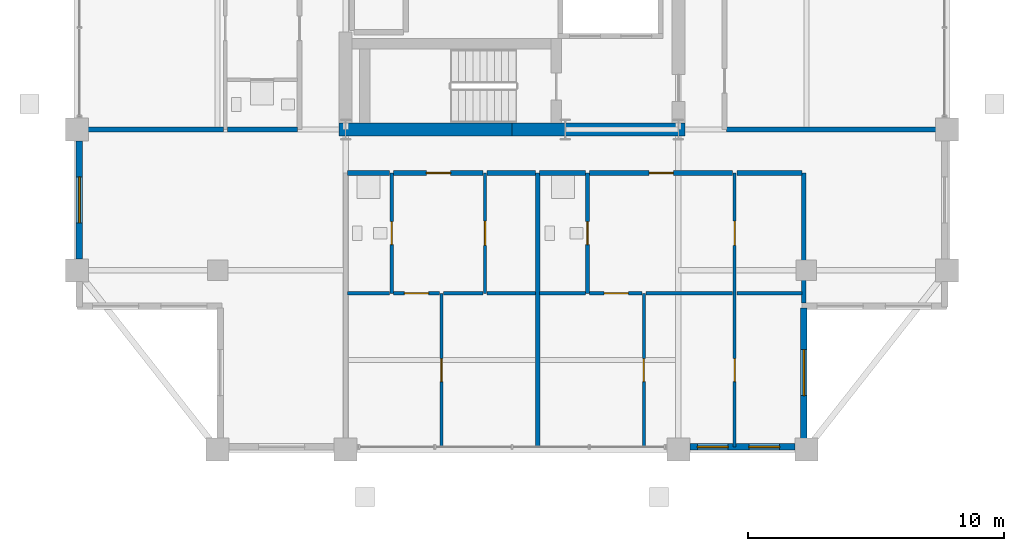
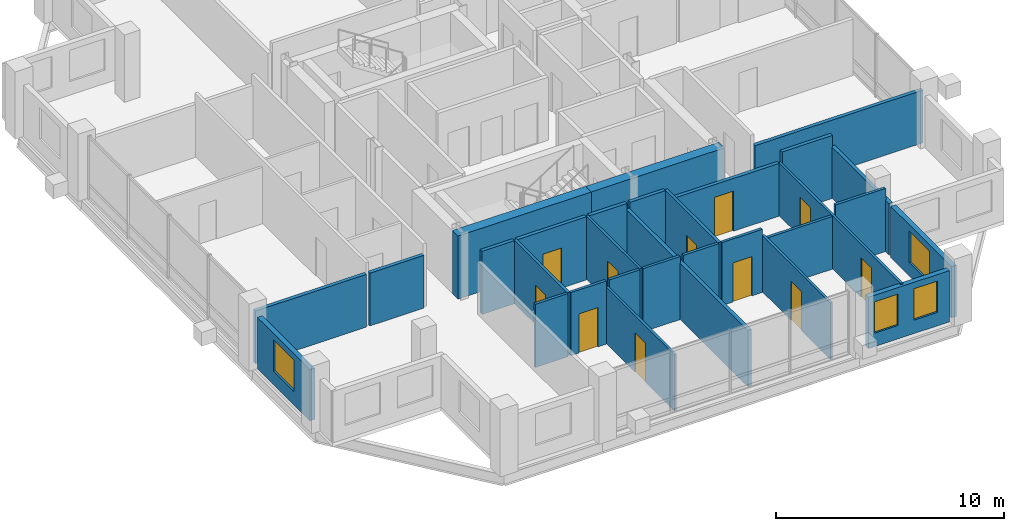
# One storey, part 16 of 21: 30 walls, 11 doors, 4 windows, 15 openings.
"""IFC4 building model written with IfcOpenShell, lengths in metres."""

from ifc_helpers import new_model, si_unit, direction, frame, frame_2d, origin, place, context, subcontext, project, spatial, rectangle, extrude, material, layer, layer_set, type_object, element, fill, save


model = new_model("IFC4")

# Units and contexts
model_context = context("Model", 3, precision=1e-05, world=origin(), true_north=direction((0.0, 1.0)))
body_context = subcontext(model_context, "Body", "Model", "MODEL_VIEW")
ifc_project = project(units=[si_unit("LENGTHUNIT", "METRE"), si_unit("AREAUNIT", "SQUARE_METRE"), si_unit("VOLUMEUNIT", "CUBIC_METRE"), si_unit("PLANEANGLEUNIT", "RADIAN"), si_unit("MASSUNIT", "GRAM", prefix="KILO")], contexts=[model_context])

# Site, building, storey
site_placement = place(None, origin())
site = spatial("IfcSite", under=ifc_project, at=site_placement, CompositionType="ELEMENT")
building_placement = place(site_placement, origin())
building = spatial("IfcBuilding", under=site, at=building_placement, Name="Barlavira Tower and Art Museum", CompositionType="ELEMENT")
storey_placement = place(building_placement, frame((0.0, 0.0, 297.89990234375)))
storey = spatial("IfcBuildingStorey", under=building, at=storey_placement, Name="L78", CompositionType="ELEMENT", Elevation=297.89990234375)

# Wall, opening, door
ifc_material_1 = material(Name="Gypsum acoustic stud partition", Category="gypsum")
ifc_layer_1 = layer(ifc_material_1, 0.1201171875, Name="Gypsum acoustic stud partition")
ifc_layer_set_1 = layer_set([ifc_layer_1], Name="Gypsum acoustic stud partition")
wall_type_1 = type_object("IfcWallType", Name="Apartment Internal Acoustic Partition 120", PredefinedType="PARTITIONING", material=ifc_layer_set_1)
wall_1_placement = place(storey_placement, frame((-2.75, -19.89990234375, 0.0), z_axis=(0.0, 0.0, 1.0), x_axis=(0.0, 1.0, 0.0)))
wall_1 = element("IfcWall", 1, at=wall_1_placement, inside=storey, type_object=wall_type_1, Name="L78 Partition Wall 8", PredefinedType="PARTITIONING", context=body_context, shape_type="SweptSolid", body=[
    extrude(rectangle(XDim=6.0, YDim=0.1201171875, at=frame_2d((3.0, 0.0))), origin(), (0.0, 0.0, 1.0), 3.01806640625),
])
opening_1_placement = place(wall_1_placement, frame((2.550048828125, 0.0, 0.0)))
opening_1 = element("IfcOpeningElement", 2, at=opening_1_placement, cuts=wall_1, Name="Opening D-01", PredefinedType="OPENING", context=body_context, shape_type="SweptSolid", body=[
    extrude(rectangle(XDim=0.89990234375, YDim=2.10009765625, at=frame_2d((0.449951171875, 1.050048828125))), frame((0.0, 0.070068359375, 0.0), z_axis=(0.0, -1.0, 0.0), x_axis=(1.0, 0.0, 0.0)), (0.0, 0.0, 1.0), 0.14013671875),
])
ifc_material_2 = material(Name="Engineered coastal hardwood", Category="wood")
door_type_1 = type_object("IfcDoorType", Name="Internal Bedroom Timber Flush Door 900x2100", OperationType="NOTDEFINED", PredefinedType="DOOR", material=ifc_material_2)
door_1_placement = place(opening_1_placement, origin())
door_1 = element("IfcDoor", 3, at=door_1_placement, inside=storey, type_object=door_type_1, Name="Apartment S1 Bedroom 1 Door", OperationType="SINGLE_SWING_LEFT", OverallHeight=2.10009765625, OverallWidth=0.89990234375, PredefinedType="DOOR", context=body_context, shape_type="SweptSolid", body=[
    extrude(rectangle(XDim=0.89990234375, YDim=2.10009765625, at=frame_2d((0.449951171875, 1.050048828125))), frame((0.0, 0.02490234375, 0.0), z_axis=(0.0, -1.0, 0.0), x_axis=(1.0, 0.0, 0.0)), (0.0, 0.0, 1.0), 0.050048828125),
])
fill(opening_1, door_1)

wall_2_placement = place(storey_placement, frame((-1.050048828125, -13.89990234375, 0.0), z_axis=(0.0, 0.0, 1.0), x_axis=(0.0, 1.0, 0.0)))
wall_2 = element("IfcWall", 4, at=wall_2_placement, inside=storey, type_object=wall_type_1, Name="L78 Partition Wall 9", PredefinedType="PARTITIONING", context=body_context, shape_type="SweptSolid", body=[
    extrude(rectangle(XDim=4.699951171875, YDim=0.1201171875, at=frame_2d((2.35009765625, 0.0))), origin(), (0.0, 0.0, 1.0), 3.380126953125),
])
opening_2_placement = place(wall_2_placement, frame((1.875, 0.0, 0.0)))
opening_2 = element("IfcOpeningElement", 5, at=opening_2_placement, cuts=wall_2, Name="Opening D-02", PredefinedType="OPENING", context=body_context, shape_type="SweptSolid", body=[
    extrude(rectangle(XDim=0.949951171875, YDim=2.10009765625, at=frame_2d((0.47509765625, 1.050048828125))), frame((0.0, 0.070068359375, 0.0), z_axis=(0.0, -1.0, 0.0), x_axis=(1.0, 0.0, 0.0)), (0.0, 0.0, 1.0), 0.14013671875),
])
door_type_2 = type_object("IfcDoorType", Name="Living and Salon Glazed-Leaf Door 950x2100", OperationType="NOTDEFINED", PredefinedType="DOOR", material=ifc_material_2)
door_2_placement = place(opening_2_placement, origin())
door_2 = element("IfcDoor", 6, at=door_2_placement, inside=storey, type_object=door_type_2, Name="Apartment S1 Kitchen Door", OperationType="SINGLE_SWING_LEFT", OverallHeight=2.10009765625, OverallWidth=0.949951171875, PredefinedType="DOOR", context=body_context, shape_type="SweptSolid", body=[
    extrude(rectangle(XDim=0.949951171875, YDim=2.10009765625, at=frame_2d((0.47509765625, 1.050048828125))), frame((0.0, 0.02490234375, 0.0), z_axis=(0.0, -1.0, 0.0), x_axis=(1.0, 0.0, 0.0)), (0.0, 0.0, 1.0), 0.050048828125),
])
fill(opening_2, door_2)

wall_3_placement = place(storey_placement, frame((5.14990234375, -19.89990234375, 0.0), z_axis=(0.0, 0.0, 1.0), x_axis=(0.0, 1.0, 0.0)))
wall_3 = element("IfcWall", 7, at=wall_3_placement, inside=storey, type_object=wall_type_1, Name="L78 Partition Wall 15", PredefinedType="PARTITIONING", context=body_context, shape_type="SweptSolid", body=[
    extrude(rectangle(XDim=6.0, YDim=0.1201171875, at=frame_2d((3.0, 0.0))), origin(), (0.0, 0.0, 1.0), 3.01806640625),
])
opening_3_placement = place(wall_3_placement, frame((2.550048828125, 0.0, 0.0)))
opening_3 = element("IfcOpeningElement", 8, at=opening_3_placement, cuts=wall_3, Name="Opening D-01", PredefinedType="OPENING", context=body_context, shape_type="SweptSolid", body=[
    extrude(rectangle(XDim=0.89990234375, YDim=2.10009765625, at=frame_2d((0.449951171875, 1.050048828125))), frame((0.0, 0.070068359375, 0.0), z_axis=(0.0, -1.0, 0.0), x_axis=(1.0, 0.0, 0.0)), (0.0, 0.0, 1.0), 0.14013671875),
])
door_3_placement = place(opening_3_placement, origin())
door_3 = element("IfcDoor", 9, at=door_3_placement, inside=storey, type_object=door_type_1, Name="Apartment S2 Bedroom 1 Door", OperationType="SINGLE_SWING_RIGHT", OverallHeight=2.10009765625, OverallWidth=0.89990234375, PredefinedType="DOOR", context=body_context, shape_type="SweptSolid", body=[
    extrude(rectangle(XDim=0.89990234375, YDim=2.10009765625, at=frame_2d((0.449951171875, 1.050048828125))), frame((0.0, 0.02490234375, 0.0), z_axis=(0.0, -1.0, 0.0), x_axis=(1.0, 0.0, 0.0)), (0.0, 0.0, 1.0), 0.050048828125),
])
fill(opening_3, door_3)

# Wall, openings, doors
wall_4_placement = place(storey_placement, frame((8.699951171875, -19.89990234375, 0.0), z_axis=(0.0, 0.0, 1.0), x_axis=(0.0, 1.0, 0.0)))
wall_4 = element("IfcWall", 10, at=wall_4_placement, inside=storey, type_object=wall_type_1, Name="L78 Partition Wall 19", PredefinedType="PARTITIONING", context=body_context, shape_type="SweptSolid", body=[
    extrude(rectangle(XDim=10.699951171875, YDim=0.1201171875, at=frame_2d((5.35009765625, 0.0))), origin(), (0.0, 0.0, 1.0), 2.826171875),
])
opening_4_placement = place(wall_4_placement, frame((7.875, 0.0, 0.0)))
opening_4 = element("IfcOpeningElement", 11, at=opening_4_placement, cuts=wall_4, Name="Opening D-02", PredefinedType="OPENING", context=body_context, shape_type="SweptSolid", body=[
    extrude(rectangle(XDim=0.949951171875, YDim=2.10009765625, at=frame_2d((0.47509765625, 1.050048828125))), frame((0.0, 0.070068359375, 0.0), z_axis=(0.0, -1.0, 0.0), x_axis=(1.0, 0.0, 0.0)), (0.0, 0.0, 1.0), 0.14013671875),
])
opening_5_placement = place(wall_4_placement, frame((2.550048828125, 0.0, 0.0)))
opening_5 = element("IfcOpeningElement", 12, at=opening_5_placement, cuts=wall_4, Name="Opening D-01", PredefinedType="OPENING", context=body_context, shape_type="SweptSolid", body=[
    extrude(rectangle(XDim=0.89990234375, YDim=2.10009765625, at=frame_2d((0.449951171875, 1.050048828125))), frame((0.0, 0.070068359375, 0.0), z_axis=(0.0, -1.0, 0.0), x_axis=(1.0, 0.0, 0.0)), (0.0, 0.0, 1.0), 0.14013671875),
])
door_4_placement = place(opening_5_placement, origin())
door_4 = element("IfcDoor", 13, at=door_4_placement, inside=storey, type_object=door_type_1, Name="Apartment S2 Bedroom 2 Door", OperationType="SINGLE_SWING_LEFT", OverallHeight=2.10009765625, OverallWidth=0.89990234375, PredefinedType="DOOR", context=body_context, shape_type="SweptSolid", body=[
    extrude(rectangle(XDim=0.89990234375, YDim=2.10009765625, at=frame_2d((0.449951171875, 1.050048828125))), frame((0.0, 0.02490234375, 0.0), z_axis=(0.0, -1.0, 0.0), x_axis=(1.0, 0.0, 0.0)), (0.0, 0.0, 1.0), 0.050048828125),
])
fill(opening_5, door_4)
door_5_placement = place(opening_4_placement, origin())
door_5 = element("IfcDoor", 14, at=door_5_placement, inside=storey, type_object=door_type_2, Name="Apartment S2 Kitchen Door", OperationType="SINGLE_SWING_RIGHT", OverallHeight=2.10009765625, OverallWidth=0.949951171875, PredefinedType="DOOR", context=body_context, shape_type="SweptSolid", body=[
    extrude(rectangle(XDim=0.949951171875, YDim=2.10009765625, at=frame_2d((0.47509765625, 1.050048828125))), frame((0.0, 0.02490234375, 0.0), z_axis=(0.0, -1.0, 0.0), x_axis=(1.0, 0.0, 0.0)), (0.0, 0.0, 1.0), 0.050048828125),
])
fill(opening_4, door_5)

# Walls
ifc_material_3 = material(Name="Concrete C60", Category="concrete")
ifc_layer_2 = layer(ifc_material_3, 0.5, Name="Concrete C60")
ifc_layer_set_2 = layer_set([ifc_layer_2], Name="Concrete C60")
wall_type_2 = type_object("IfcWallType", Name="Core Structural Shear Wall 500 Concrete C60", PredefinedType="SHEAR", material=ifc_layer_set_2)
for number, where, z_axis, x_axis, name in (
    (15, (-6.75, -7.5, 0.0), (0.0, 0.0, 1.0), (1.0, 0.0, 0.0), "L78 Core Shear Wall CS-SW"),
    (16, (0.0, -7.5, 0.0), (0.0, 0.0, 1.0), (1.0, 0.0, 0.0), "L78 Core Shear Wall CS-SE"),
):
    element("IfcWall", number, at=place(storey_placement, frame(where, z_axis=z_axis, x_axis=x_axis)), inside=storey, type_object=wall_type_2, Name=name, PredefinedType="SHEAR", context=body_context, shape_type="SweptSolid", body=[
        extrude(rectangle(XDim=6.75, YDim=0.5, at=frame_2d((3.375, 0.0))), origin(), (0.0, 0.0, 1.0), 3.380126953125),
    ])
ifc_layer_3 = layer(ifc_material_1, 0.179931640625, Name="Gypsum acoustic stud partition")
ifc_layer_set_3 = layer_set([ifc_layer_3], Name="Gypsum acoustic stud partition")
wall_type_3 = type_object("IfcWallType", Name="Inter-Tenancy Party Partition Wall 180", PredefinedType="PARTITIONING", material=ifc_layer_set_3)
wall_5_placement = place(storey_placement, frame((1.0, -19.89990234375, 0.0), z_axis=(0.0, 0.0, 1.0), x_axis=(0.0, 1.0, 0.0)))
element("IfcWall", 17, at=wall_5_placement, inside=storey, type_object=wall_type_3, Name="L78 Partition Wall 10", PredefinedType="PARTITIONING", context=body_context, shape_type="SweptSolid", body=[
    extrude(rectangle(XDim=10.699951171875, YDim=0.179931640625, at=frame_2d((5.35009765625, 0.0))), origin(), (0.0, 0.0, 1.0), 3.01806640625),
])
wall_6_placement = place(storey_placement, frame((11.39990234375, -14.27001953125, 0.0), z_axis=(0.0, 0.0, 1.0), x_axis=(0.0, 1.0, 0.0)))
element("IfcWall", 18, at=wall_6_placement, inside=storey, type_object=wall_type_3, Name="L78 Partition Wall 21", PredefinedType="PARTITIONING", context=body_context, shape_type="SweptSolid", body=[
    extrude(rectangle(XDim=5.070068359375, YDim=0.179931640625, at=frame_2d((2.53515625, 0.0))), origin(), (0.0, 0.0, 1.0), 2.748046875),
])
wall_7_placement = place(storey_placement, frame((-6.419921875, -9.199951171875, 0.0), z_axis=(0.0, 0.0, 1.0), x_axis=(1.0, 0.0, 0.0)))
element("IfcWall", 19, at=wall_7_placement, inside=storey, type_object=wall_type_3, Name="L78 Partition Wall 32", PredefinedType="PARTITIONING", context=body_context, shape_type="SweptSolid", body=[
    extrude(rectangle(XDim=1.639892578125, YDim=0.179931640625, at=frame_2d((0.81982421875, 0.0))), origin(), (0.0, 0.0, 1.0), 3.380126953125),
])

# Wall, opening, door
wall_8_placement = place(storey_placement, frame((-4.6201171875, -9.199951171875, 0.0), z_axis=(0.0, 0.0, 1.0), x_axis=(1.0, 0.0, 0.0)))
wall_8 = element("IfcWall", 20, at=wall_8_placement, inside=storey, type_object=wall_type_3, Name="L78 Partition Wall 33", PredefinedType="PARTITIONING", context=body_context, shape_type="SweptSolid", body=[
    extrude(rectangle(XDim=3.490234375, YDim=0.179931640625, at=frame_2d((1.7451171875, 0.0))), origin(), (0.0, 0.0, 1.0), 3.380126953125),
])
opening_6_placement = place(wall_8_placement, frame((1.27490234375, 0.0, 0.0)))
opening_6 = element("IfcOpeningElement", 21, at=opening_6_placement, cuts=wall_8, Name="Opening FD-60", PredefinedType="OPENING", context=body_context, shape_type="SweptSolid", body=[
    extrude(rectangle(XDim=0.949951171875, YDim=2.14990234375, at=frame_2d((0.47509765625, 1.074951171875))), frame((0.0, 0.10009765625, 0.0), z_axis=(0.0, -1.0, 0.0), x_axis=(1.0, 0.0, 0.0)), (0.0, 0.0, 1.0), 0.199951171875),
])
ifc_material_4 = material(Name="Brushed stainless steel", Category="steel")
door_type_3 = type_object("IfcDoorType", Name="Apartment Entrance and Riser Fire Door 950x2150 FD60S", OperationType="NOTDEFINED", PredefinedType="DOOR", material=ifc_material_4)
door_6_placement = place(opening_6_placement, origin())
door_6 = element("IfcDoor", 22, at=door_6_placement, inside=storey, type_object=door_type_3, Name="Apartment Entrance Hall S1 Door", OperationType="SINGLE_SWING_RIGHT", OverallHeight=2.14990234375, OverallWidth=0.949951171875, PredefinedType="DOOR", context=body_context, shape_type="SweptSolid", body=[
    extrude(rectangle(XDim=0.949951171875, YDim=2.14990234375, at=frame_2d((0.47509765625, 1.074951171875))), frame((0.0, 0.02490234375, 0.0), z_axis=(0.0, -1.0, 0.0), x_axis=(1.0, 0.0, 0.0)), (0.0, 0.0, 1.0), 0.050048828125),
])
fill(opening_6, door_6)

# Walls
wall_9_placement = place(storey_placement, frame((-0.969970703125, -9.199951171875, 0.0), z_axis=(0.0, 0.0, 1.0), x_axis=(1.0, 0.0, 0.0)))
element("IfcWall", 23, at=wall_9_placement, inside=storey, type_object=wall_type_3, Name="L78 Partition Wall 34", PredefinedType="PARTITIONING", context=body_context, shape_type="SweptSolid", body=[
    extrude(rectangle(XDim=1.889892578125, YDim=0.179931640625, at=frame_2d((0.94482421875, 0.0))), origin(), (0.0, 0.0, 1.0), 3.380126953125),
])
wall_10_placement = place(storey_placement, frame((1.080078125, -9.199951171875, 0.0), z_axis=(0.0, 0.0, 1.0), x_axis=(1.0, 0.0, 0.0)))
element("IfcWall", 24, at=wall_10_placement, inside=storey, type_object=wall_type_3, Name="L78 Partition Wall 35", PredefinedType="PARTITIONING", context=body_context, shape_type="SweptSolid", body=[
    extrude(rectangle(XDim=1.7900390625, YDim=0.179931640625, at=frame_2d((0.89501953125, 0.0))), origin(), (0.0, 0.0, 1.0), 3.380126953125),
])

# Wall, opening, door
wall_11_placement = place(storey_placement, frame((3.030029296875, -9.199951171875, 0.0), z_axis=(0.0, 0.0, 1.0), x_axis=(1.0, 0.0, 0.0)))
wall_11 = element("IfcWall", 25, at=wall_11_placement, inside=storey, type_object=wall_type_3, Name="L78 Partition Wall 36", PredefinedType="PARTITIONING", context=body_context, shape_type="SweptSolid", body=[
    extrude(rectangle(XDim=5.590087890625, YDim=0.179931640625, at=frame_2d((2.794921875, 0.0))), origin(), (0.0, 0.0, 1.0), 2.826171875),
])
opening_7_placement = place(wall_11_placement, frame((2.324951171875, 0.0, 0.0)))
opening_7 = element("IfcOpeningElement", 26, at=opening_7_placement, cuts=wall_11, Name="Opening FD-60", PredefinedType="OPENING", context=body_context, shape_type="SweptSolid", body=[
    extrude(rectangle(XDim=0.949951171875, YDim=2.14990234375, at=frame_2d((0.47509765625, 1.074951171875))), frame((0.0, 0.10009765625, 0.0), z_axis=(0.0, -1.0, 0.0), x_axis=(1.0, 0.0, 0.0)), (0.0, 0.0, 1.0), 0.199951171875),
])
door_7_placement = place(opening_7_placement, origin())
door_7 = element("IfcDoor", 27, at=door_7_placement, inside=storey, type_object=door_type_3, Name="Apartment Entrance Hall S2 Door", OperationType="SINGLE_SWING_LEFT", OverallHeight=2.14990234375, OverallWidth=0.949951171875, PredefinedType="DOOR", context=body_context, shape_type="SweptSolid", body=[
    extrude(rectangle(XDim=0.949951171875, YDim=2.14990234375, at=frame_2d((0.47509765625, 1.074951171875))), frame((0.0, 0.02490234375, 0.0), z_axis=(0.0, -1.0, 0.0), x_axis=(1.0, 0.0, 0.0)), (0.0, 0.0, 1.0), 0.050048828125),
])
fill(opening_7, door_7)

# Walls
wall_12_placement = place(storey_placement, frame((8.780029296875, -9.199951171875, 0.0), z_axis=(0.0, 0.0, 1.0), x_axis=(1.0, 0.0, 0.0)))
element("IfcWall", 28, at=wall_12_placement, inside=storey, type_object=wall_type_3, Name="L78 Partition Wall 37", PredefinedType="PARTITIONING", context=body_context, shape_type="SweptSolid", body=[
    extrude(rectangle(XDim=2.5400390625, YDim=0.179931640625, at=frame_2d((1.27001953125, 0.0))), origin(), (0.0, 0.0, 1.0), 3.380126953125),
])
wall_13_placement = place(storey_placement, frame((-16.89990234375, -7.5, 0.0), z_axis=(0.0, 0.0, 1.0), x_axis=(1.0, 0.0, 0.0)))
element("IfcWall", 29, at=wall_13_placement, inside=storey, type_object=wall_type_3, Name="L78 Partition Wall 38", PredefinedType="PARTITIONING", context=body_context, shape_type="SweptSolid", body=[
    extrude(rectangle(XDim=5.619873046875, YDim=0.179931640625, at=frame_2d((2.81005859375, 0.0))), origin(), (0.0, 0.0, 1.0), 2.826171875),
])
wall_14_placement = place(storey_placement, frame((-11.1201171875, -7.5, 0.0), z_axis=(0.0, 0.0, 1.0), x_axis=(1.0, 0.0, 0.0)))
element("IfcWall", 30, at=wall_14_placement, inside=storey, type_object=wall_type_3, Name="L78 Partition Wall 39", PredefinedType="PARTITIONING", context=body_context, shape_type="SweptSolid", body=[
    extrude(rectangle(XDim=2.740234375, YDim=0.179931640625, at=frame_2d((1.3701171875, 0.0))), origin(), (0.0, 0.0, 1.0), 2.826171875),
])
wall_15_placement = place(storey_placement, frame((8.3798828125, -7.5, 0.0), z_axis=(0.0, 0.0, 1.0), x_axis=(1.0, 0.0, 0.0)))
element("IfcWall", 31, at=wall_15_placement, inside=storey, type_object=wall_type_3, Name="L78 Partition Wall 40", PredefinedType="PARTITIONING", context=body_context, shape_type="SweptSolid", body=[
    extrude(rectangle(XDim=8.52001953125, YDim=0.179931640625, at=frame_2d((4.260009765625, 0.0))), origin(), (0.0, 0.0, 1.0), 2.826171875),
])

# Wall, opening, door
ifc_layer_4 = layer(ifc_material_1, 0.139892578125, Name="Gypsum acoustic stud partition")
ifc_layer_set_4 = layer_set([ifc_layer_4], Name="Gypsum acoustic stud partition")
wall_type_4 = type_object("IfcWallType", Name="Moisture-Resistant Bathroom Partition 140", PredefinedType="PARTITIONING", material=ifc_layer_set_4)
wall_16_placement = place(storey_placement, frame((-4.699951171875, -13.89990234375, 0.0), z_axis=(0.0, 0.0, 1.0), x_axis=(0.0, 1.0, 0.0)))
wall_16 = element("IfcWall", 32, at=wall_16_placement, inside=storey, type_object=wall_type_4, Name="L78 Partition Wall 6", PredefinedType="PARTITIONING", context=body_context, shape_type="SweptSolid", body=[
    extrude(rectangle(XDim=4.699951171875, YDim=0.139892578125, at=frame_2d((2.35009765625, 0.0))), origin(), (0.0, 0.0, 1.0), 3.380126953125),
])
opening_8_placement = place(wall_16_placement, frame((1.89990234375, 0.0, 0.0)))
opening_8 = element("IfcOpeningElement", 33, at=opening_8_placement, cuts=wall_16, Name="Opening D-WC", PredefinedType="OPENING", context=body_context, shape_type="SweptSolid", body=[
    extrude(rectangle(XDim=0.89990234375, YDim=2.10009765625, at=frame_2d((0.449951171875, 1.050048828125))), frame((0.0, 0.080078125, 0.0), z_axis=(0.0, -1.0, 0.0), x_axis=(1.0, 0.0, 0.0)), (0.0, 0.0, 1.0), 0.159912109375),
])
door_type_4 = type_object("IfcDoorType", Name="Accessible Bathroom Flush Door 900x2100", OperationType="NOTDEFINED", PredefinedType="DOOR", material=ifc_material_2)
door_8_placement = place(opening_8_placement, origin())
door_8 = element("IfcDoor", 34, at=door_8_placement, inside=storey, type_object=door_type_4, Name="Apartment S1 Hall Bathroom Door", OperationType="SINGLE_SWING_LEFT", OverallHeight=2.10009765625, OverallWidth=0.89990234375, PredefinedType="DOOR", context=body_context, shape_type="SweptSolid", body=[
    extrude(rectangle(XDim=0.89990234375, YDim=2.10009765625, at=frame_2d((0.449951171875, 1.050048828125))), frame((0.0, 0.02490234375, 0.0), z_axis=(0.0, -1.0, 0.0), x_axis=(1.0, 0.0, 0.0)), (0.0, 0.0, 1.0), 0.050048828125),
])
fill(opening_8, door_8)

wall_17_placement = place(storey_placement, frame((2.949951171875, -13.89990234375, 0.0), z_axis=(0.0, 0.0, 1.0), x_axis=(0.0, 1.0, 0.0)))
wall_17 = element("IfcWall", 35, at=wall_17_placement, inside=storey, type_object=wall_type_4, Name="L78 Partition Wall 12", PredefinedType="PARTITIONING", context=body_context, shape_type="SweptSolid", body=[
    extrude(rectangle(XDim=4.699951171875, YDim=0.139892578125, at=frame_2d((2.35009765625, 0.0))), origin(), (0.0, 0.0, 1.0), 3.380126953125),
])
opening_9_placement = place(wall_17_placement, frame((1.89990234375, 0.0, 0.0)))
opening_9 = element("IfcOpeningElement", 36, at=opening_9_placement, cuts=wall_17, Name="Opening D-WC", PredefinedType="OPENING", context=body_context, shape_type="SweptSolid", body=[
    extrude(rectangle(XDim=0.89990234375, YDim=2.10009765625, at=frame_2d((0.449951171875, 1.050048828125))), frame((0.0, 0.080078125, 0.0), z_axis=(0.0, -1.0, 0.0), x_axis=(1.0, 0.0, 0.0)), (0.0, 0.0, 1.0), 0.159912109375),
])
door_9_placement = place(opening_9_placement, origin())
door_9 = element("IfcDoor", 37, at=door_9_placement, inside=storey, type_object=door_type_4, Name="Apartment S2 Hall Bathroom Door", OperationType="SINGLE_SWING_RIGHT", OverallHeight=2.10009765625, OverallWidth=0.89990234375, PredefinedType="DOOR", context=body_context, shape_type="SweptSolid", body=[
    extrude(rectangle(XDim=0.89990234375, YDim=2.10009765625, at=frame_2d((0.449951171875, 1.050048828125))), frame((0.0, 0.02490234375, 0.0), z_axis=(0.0, -1.0, 0.0), x_axis=(1.0, 0.0, 0.0)), (0.0, 0.0, 1.0), 0.050048828125),
])
fill(opening_9, door_9)

# Wall
wall_18_placement = place(storey_placement, frame((-6.419921875, -13.89990234375, 0.0), z_axis=(0.0, 0.0, 1.0), x_axis=(1.0, 0.0, 0.0)))
element("IfcWall", 38, at=wall_18_placement, inside=storey, type_object=wall_type_4, Name="L78 Partition Wall 24", PredefinedType="PARTITIONING", context=body_context, shape_type="SweptSolid", body=[
    extrude(rectangle(XDim=1.639892578125, YDim=0.139892578125, at=frame_2d((0.81982421875, 0.0))), origin(), (0.0, 0.0, 1.0), 3.380126953125),
])

# Wall, opening, door
wall_19_placement = place(storey_placement, frame((-4.6201171875, -13.89990234375, 0.0), z_axis=(0.0, 0.0, 1.0), x_axis=(1.0, 0.0, 0.0)))
wall_19 = element("IfcWall", 39, at=wall_19_placement, inside=storey, type_object=wall_type_4, Name="L78 Partition Wall 25", PredefinedType="PARTITIONING", context=body_context, shape_type="SweptSolid", body=[
    extrude(rectangle(XDim=1.7900390625, YDim=0.139892578125, at=frame_2d((0.89501953125, 0.0))), origin(), (0.0, 0.0, 1.0), 3.380126953125),
])
opening_10_placement = place(wall_19_placement, frame((0.4150390625, 0.0, 0.0)))
opening_10 = element("IfcOpeningElement", 40, at=opening_10_placement, cuts=wall_19, Name="Opening D-02", PredefinedType="OPENING", context=body_context, shape_type="SweptSolid", body=[
    extrude(rectangle(XDim=0.949951171875, YDim=2.10009765625, at=frame_2d((0.47509765625, 1.050048828125))), frame((0.0, 0.080078125, 0.0), z_axis=(0.0, -1.0, 0.0), x_axis=(1.0, 0.0, 0.0)), (0.0, 0.0, 1.0), 0.159912109375),
])
door_10_placement = place(opening_10_placement, origin())
door_10 = element("IfcDoor", 41, at=door_10_placement, inside=storey, type_object=door_type_2, Name="Apartment S1 Living Lounge Door", OperationType="SINGLE_SWING_RIGHT", OverallHeight=2.10009765625, OverallWidth=0.949951171875, PredefinedType="DOOR", context=body_context, shape_type="SweptSolid", body=[
    extrude(rectangle(XDim=0.949951171875, YDim=2.10009765625, at=frame_2d((0.47509765625, 1.050048828125))), frame((0.0, 0.02490234375, 0.0), z_axis=(0.0, -1.0, 0.0), x_axis=(1.0, 0.0, 0.0)), (0.0, 0.0, 1.0), 0.050048828125),
])
fill(opening_10, door_10)

# Walls
wall_20_placement = place(storey_placement, frame((-2.669921875, -13.89990234375, 0.0), z_axis=(0.0, 0.0, 1.0), x_axis=(1.0, 0.0, 0.0)))
element("IfcWall", 42, at=wall_20_placement, inside=storey, type_object=wall_type_4, Name="L78 Partition Wall 26", PredefinedType="PARTITIONING", context=body_context, shape_type="SweptSolid", body=[
    extrude(rectangle(XDim=1.5400390625, YDim=0.139892578125, at=frame_2d((0.77001953125, 0.0))), origin(), (0.0, 0.0, 1.0), 3.380126953125),
])
wall_21_placement = place(storey_placement, frame((-0.969970703125, -13.89990234375, 0.0), z_axis=(0.0, 0.0, 1.0), x_axis=(1.0, 0.0, 0.0)))
element("IfcWall", 43, at=wall_21_placement, inside=storey, type_object=wall_type_4, Name="L78 Partition Wall 27", PredefinedType="PARTITIONING", context=body_context, shape_type="SweptSolid", body=[
    extrude(rectangle(XDim=1.889892578125, YDim=0.139892578125, at=frame_2d((0.94482421875, 0.0))), origin(), (0.0, 0.0, 1.0), 3.380126953125),
])
wall_22_placement = place(storey_placement, frame((1.080078125, -13.89990234375, 0.0), z_axis=(0.0, 0.0, 1.0), x_axis=(1.0, 0.0, 0.0)))
element("IfcWall", 44, at=wall_22_placement, inside=storey, type_object=wall_type_4, Name="L78 Partition Wall 28", PredefinedType="PARTITIONING", context=body_context, shape_type="SweptSolid", body=[
    extrude(rectangle(XDim=1.7900390625, YDim=0.139892578125, at=frame_2d((0.89501953125, 0.0))), origin(), (0.0, 0.0, 1.0), 3.380126953125),
])

# Wall, opening, door
wall_23_placement = place(storey_placement, frame((3.030029296875, -13.89990234375, 0.0), z_axis=(0.0, 0.0, 1.0), x_axis=(1.0, 0.0, 0.0)))
wall_23 = element("IfcWall", 45, at=wall_23_placement, inside=storey, type_object=wall_type_4, Name="L78 Partition Wall 29", PredefinedType="PARTITIONING", context=body_context, shape_type="SweptSolid", body=[
    extrude(rectangle(XDim=2.0400390625, YDim=0.139892578125, at=frame_2d((1.02001953125, 0.0))), origin(), (0.0, 0.0, 1.0), 3.380126953125),
])
opening_11_placement = place(wall_23_placement, frame((0.56494140625, 0.0, 0.0)))
opening_11 = element("IfcOpeningElement", 46, at=opening_11_placement, cuts=wall_23, Name="Opening D-02", PredefinedType="OPENING", context=body_context, shape_type="SweptSolid", body=[
    extrude(rectangle(XDim=0.949951171875, YDim=2.10009765625, at=frame_2d((0.47509765625, 1.050048828125))), frame((0.0, 0.080078125, 0.0), z_axis=(0.0, -1.0, 0.0), x_axis=(1.0, 0.0, 0.0)), (0.0, 0.0, 1.0), 0.159912109375),
])
door_11_placement = place(opening_11_placement, origin())
door_11 = element("IfcDoor", 47, at=door_11_placement, inside=storey, type_object=door_type_2, Name="Apartment S2 Living Lounge Door", OperationType="SINGLE_SWING_LEFT", OverallHeight=2.10009765625, OverallWidth=0.949951171875, PredefinedType="DOOR", context=body_context, shape_type="SweptSolid", body=[
    extrude(rectangle(XDim=0.949951171875, YDim=2.10009765625, at=frame_2d((0.47509765625, 1.050048828125))), frame((0.0, 0.02490234375, 0.0), z_axis=(0.0, -1.0, 0.0), x_axis=(1.0, 0.0, 0.0)), (0.0, 0.0, 1.0), 0.050048828125),
])
fill(opening_11, door_11)

# Walls
wall_24_placement = place(storey_placement, frame((5.22998046875, -13.89990234375, 0.0), z_axis=(0.0, 0.0, 1.0), x_axis=(1.0, 0.0, 0.0)))
element("IfcWall", 48, at=wall_24_placement, inside=storey, type_object=wall_type_4, Name="L78 Partition Wall 30", PredefinedType="PARTITIONING", context=body_context, shape_type="SweptSolid", body=[
    extrude(rectangle(XDim=3.39013671875, YDim=0.139892578125, at=frame_2d((1.695068359375, 0.0))), origin(), (0.0, 0.0, 1.0), 2.826171875),
])
wall_25_placement = place(storey_placement, frame((8.780029296875, -13.89990234375, 0.0), z_axis=(0.0, 0.0, 1.0), x_axis=(1.0, 0.0, 0.0)))
element("IfcWall", 49, at=wall_25_placement, inside=storey, type_object=wall_type_4, Name="L78 Partition Wall 31", PredefinedType="PARTITIONING", context=body_context, shape_type="SweptSolid", body=[
    extrude(rectangle(XDim=2.5400390625, YDim=0.139892578125, at=frame_2d((1.27001953125, 0.0))), origin(), (0.0, 0.0, 1.0), 3.380126953125),
])

# Wall, openings, windows
ifc_material_5 = material(Name="Precast concrete C40", Category="concrete")
ifc_layer_5 = layer(ifc_material_5, 0.25, Name="Precast concrete C40")
ifc_layer_set_5 = layer_set([ifc_layer_5], Name="Precast concrete C40")
wall_type_5 = type_object("IfcWallType", Name="Notched Corner Spandrel Wall 250 Precast Concrete C40", PredefinedType="SOLIDWALL", material=ifc_layer_set_5)
wall_26_placement = place(storey_placement, frame((6.945068359375, -19.89990234375, 0.0), z_axis=(0.0, 0.0, 1.0), x_axis=(1.0, 0.0, 0.0)))
wall_26 = element("IfcWall", 50, at=wall_26_placement, inside=storey, type_object=wall_type_5, Name="L78 Coastal Facade Pier Wall CW4-L78-S-3", PredefinedType="SOLIDWALL", context=body_context, shape_type="SweptSolid", body=[
    extrude(rectangle(XDim=4.10986328125, YDim=0.25, at=frame_2d((2.054931640625, 0.0))), origin(), (0.0, 0.0, 1.0), 2.748046875),
])
opening_12_placement = place(wall_26_placement, frame((0.300048828125, 0.0, 0.719970703125)))
opening_12 = element("IfcOpeningElement", 51, at=opening_12_placement, cuts=wall_26, Name="Opening WN-05", PredefinedType="OPENING", context=body_context, shape_type="SweptSolid", body=[
    extrude(rectangle(XDim=1.199951171875, YDim=1.679931640625, at=frame_2d((0.60009765625, 0.83984375))), frame((0.0, 0.135009765625, 0.0), z_axis=(0.0, -1.0, 0.0), x_axis=(1.0, 0.0, 0.0)), (0.0, 0.0, 1.0), 0.27001953125),
])
opening_13_placement = place(wall_26_placement, frame((2.31005859375, 0.0, 0.719970703125)))
opening_13 = element("IfcOpeningElement", 52, at=opening_13_placement, cuts=wall_26, Name="Opening WN-05", PredefinedType="OPENING", context=body_context, shape_type="SweptSolid", body=[
    extrude(rectangle(XDim=1.199951171875, YDim=1.679931640625, at=frame_2d((0.60009765625, 0.83984375))), frame((0.0, 0.135009765625, 0.0), z_axis=(0.0, -1.0, 0.0), x_axis=(1.0, 0.0, 0.0)), (0.0, 0.0, 1.0), 0.27001953125),
])
ifc_material_6 = material(Name="Low-iron coastal laminated glass", Category="glass")
window_type_1 = type_object("IfcWindowType", Name="Recessed Flank Pier Punch Window 1200x1680", PartitioningType="SINGLE_PANEL", PredefinedType="WINDOW", material=ifc_material_6)
window_1_placement = place(opening_12_placement, origin())
window_1 = element("IfcWindow", 53, at=window_1_placement, inside=storey, type_object=window_type_1, Name="L78 Punched Facade Window EWP-CW4-L78-S-3-1", OverallHeight=1.679931640625, OverallWidth=1.199951171875, PartitioningType="SINGLE_PANEL", PredefinedType="WINDOW", context=body_context, shape_type="SweptSolid", body=[
    extrude(rectangle(XDim=1.199951171875, YDim=1.679931640625, at=frame_2d((0.60009765625, 0.83984375))), frame((0.0, 0.030029296875, 0.0), z_axis=(0.0, -1.0, 0.0), x_axis=(1.0, 0.0, 0.0)), (0.0, 0.0, 1.0), 0.06005859375),
])
fill(opening_12, window_1)
window_2_placement = place(opening_13_placement, origin())
window_2 = element("IfcWindow", 54, at=window_2_placement, inside=storey, type_object=window_type_1, Name="L78 Punched Facade Window EWP-CW4-L78-S-3-2", OverallHeight=1.679931640625, OverallWidth=1.199951171875, PartitioningType="SINGLE_PANEL", PredefinedType="WINDOW", context=body_context, shape_type="SweptSolid", body=[
    extrude(rectangle(XDim=1.199951171875, YDim=1.679931640625, at=frame_2d((0.60009765625, 0.83984375))), frame((0.0, 0.030029296875, 0.0), z_axis=(0.0, -1.0, 0.0), x_axis=(1.0, 0.0, 0.0)), (0.0, 0.0, 1.0), 0.06005859375),
])
fill(opening_13, window_2)

# Wall, opening, window
wall_27_placement = place(storey_placement, frame((-16.89990234375, -7.945068359375, 0.0), z_axis=(0.0, 0.0, 1.0), x_axis=(0.0, -1.0, 0.0)))
wall_27 = element("IfcWall", 55, at=wall_27_placement, inside=storey, type_object=wall_type_5, Name="L78 Coastal Facade Pier Wall CW4-L78-W-4", PredefinedType="SOLIDWALL", context=body_context, shape_type="SweptSolid", body=[
    extrude(rectangle(XDim=4.60986328125, YDim=0.25, at=frame_2d((2.304931640625, 0.0))), origin(), (0.0, 0.0, 1.0), 2.748046875),
])
opening_14_placement = place(wall_27_placement, frame((1.405029296875, 0.0, 0.719970703125)))
opening_14 = element("IfcOpeningElement", 56, at=opening_14_placement, cuts=wall_27, Name="Opening WN-01", PredefinedType="OPENING", context=body_context, shape_type="SweptSolid", body=[
    extrude(rectangle(XDim=1.800048828125, YDim=1.679931640625, at=frame_2d((0.89990234375, 0.83984375))), frame((0.0, 0.135009765625, 0.0), z_axis=(0.0, -1.0, 0.0), x_axis=(1.0, 0.0, 0.0)), (0.0, 0.0, 1.0), 0.27001953125),
])
window_type_2 = type_object("IfcWindowType", Name="Recessed Notch Corner Punch Window 1800x1680", PartitioningType="SINGLE_PANEL", PredefinedType="WINDOW", material=ifc_material_6)
window_3_placement = place(opening_14_placement, origin())
window_3 = element("IfcWindow", 57, at=window_3_placement, inside=storey, type_object=window_type_2, Name="L78 Punched Facade Window EWP-CW4-L78-W-4-1", OverallHeight=1.679931640625, OverallWidth=1.800048828125, PartitioningType="SINGLE_PANEL", PredefinedType="WINDOW", context=body_context, shape_type="SweptSolid", body=[
    extrude(rectangle(XDim=1.800048828125, YDim=1.679931640625, at=frame_2d((0.89990234375, 0.83984375))), frame((0.0, 0.030029296875, 0.0), z_axis=(0.0, -1.0, 0.0), x_axis=(1.0, 0.0, 0.0)), (0.0, 0.0, 1.0), 0.06005859375),
])
fill(opening_14, window_3)

wall_28_placement = place(storey_placement, frame((11.39990234375, -19.820068359375, 0.0), z_axis=(0.0, 0.0, 1.0), x_axis=(0.0, 1.0, 0.0)))
wall_28 = element("IfcWall", 58, at=wall_28_placement, inside=storey, type_object=wall_type_5, Name="L78 Notch Corner Wall SE1", PredefinedType="SOLIDWALL", context=body_context, shape_type="SweptSolid", body=[
    extrude(rectangle(XDim=5.340087890625, YDim=0.25, at=frame_2d((2.669921875, 0.0))), origin(), (0.0, 0.0, 1.0), 2.748046875),
])
opening_15_placement = place(wall_28_placement, frame((1.925048828125, 0.0, 0.719970703125)))
opening_15 = element("IfcOpeningElement", 59, at=opening_15_placement, cuts=wall_28, Name="Opening WN-01", PredefinedType="OPENING", context=body_context, shape_type="SweptSolid", body=[
    extrude(rectangle(XDim=1.800048828125, YDim=1.679931640625, at=frame_2d((0.89990234375, 0.83984375))), frame((0.0, 0.135009765625, 0.0), z_axis=(0.0, -1.0, 0.0), x_axis=(1.0, 0.0, 0.0)), (0.0, 0.0, 1.0), 0.27001953125),
])
window_4_placement = place(opening_15_placement, origin())
window_4 = element("IfcWindow", 60, at=window_4_placement, inside=storey, type_object=window_type_2, Name="L78 Punched Facade Window EW-NTC-L78-SE1-1", OverallHeight=1.679931640625, OverallWidth=1.800048828125, PartitioningType="SINGLE_PANEL", PredefinedType="WINDOW", context=body_context, shape_type="SweptSolid", body=[
    extrude(rectangle(XDim=1.800048828125, YDim=1.679931640625, at=frame_2d((0.89990234375, 0.83984375))), frame((0.0, 0.030029296875, 0.0), z_axis=(0.0, -1.0, 0.0), x_axis=(1.0, 0.0, 0.0)), (0.0, 0.0, 1.0), 0.06005859375),
])
fill(opening_15, window_4)

save(model, "model.ifc")
